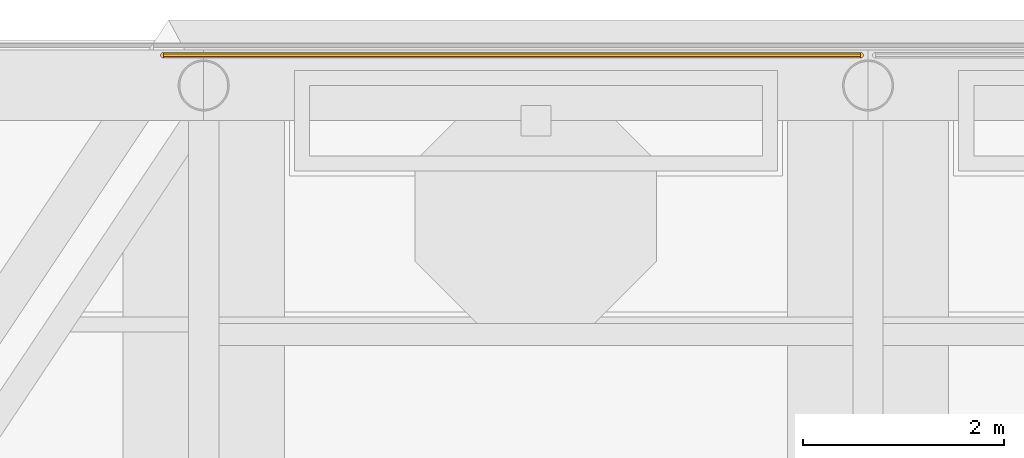
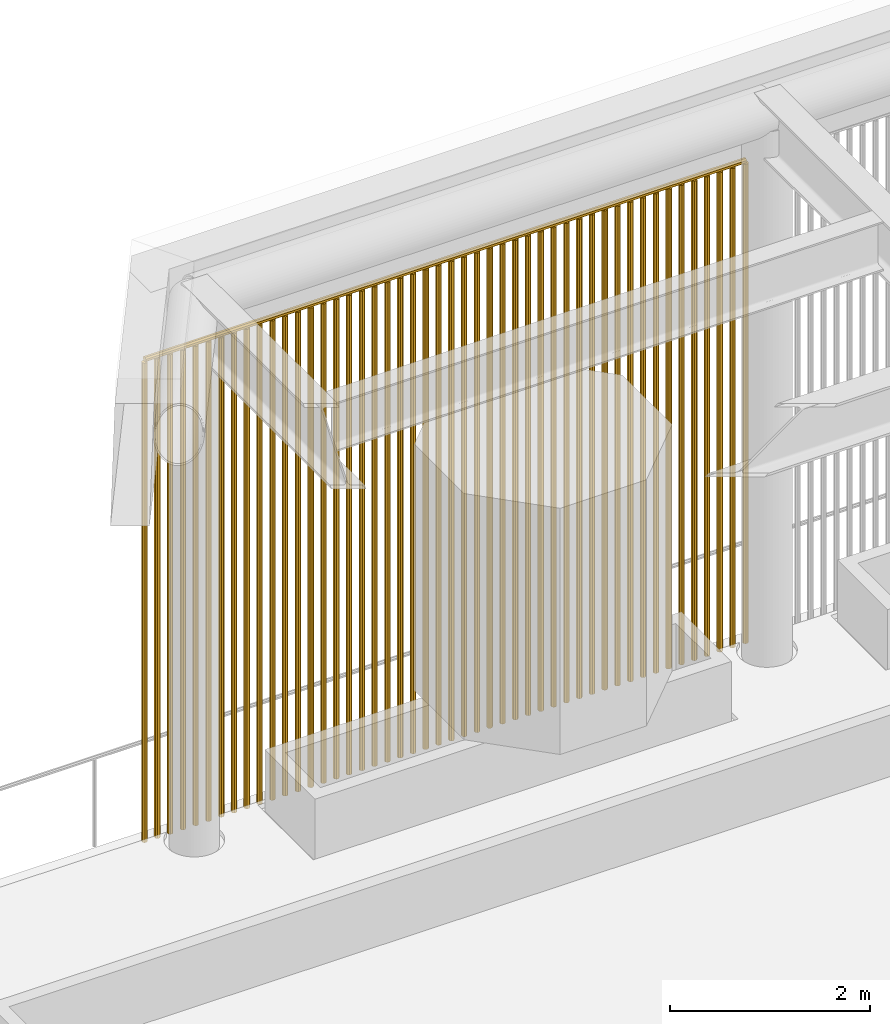
# One storey, part 18 of 22: 1 covering.
"""IFC4 building model written with IfcOpenShell, lengths in metres."""

from ifc_helpers import new_model, si_unit, direction, frame, origin, place, context, subcontext, project, spatial, polyline, outline, extrude, material, type_object, element, save


model = new_model("IFC4")

# Units and contexts
model_context = context("Model", 3, precision=1e-05, world=origin(), true_north=direction((0.0, 1.0)))
body_context = subcontext(model_context, "Body", "Model", "MODEL_VIEW")
ifc_project = project(units=[si_unit("LENGTHUNIT", "METRE"), si_unit("AREAUNIT", "SQUARE_METRE"), si_unit("VOLUMEUNIT", "CUBIC_METRE"), si_unit("PLANEANGLEUNIT", "RADIAN"), si_unit("MASSUNIT", "GRAM", prefix="KILO")], contexts=[model_context])

# Site, building, storey
site_placement = place(None, origin())
site = spatial("IfcSite", under=ifc_project, at=site_placement, CompositionType="ELEMENT")
building_placement = place(site_placement, origin())
building = spatial("IfcBuilding", under=site, at=building_placement, Name="Cobogo Forest Laboratory Tower", CompositionType="ELEMENT")
storey_placement = place(building_placement, frame((0.0, 0.0, 292.800048828125)))
storey = spatial("IfcBuildingStorey", under=building, at=storey_placement, Name="RF", CompositionType="ELEMENT", Elevation=292.800048828125)

# Covering
ifc_material = material(Name="Terracotta baguettes on a galvanised steel top rail", Category="masonry")
covering_type = type_object("IfcCoveringType", Name="CS1 crown terracotta baguette screen", PredefinedType="CLADDING", material=ifc_material)
covering_placement = place(storey_placement, frame((12.800048828125, 43.199951171875, -0.0009765625)))
element("IfcCovering", 1, at=covering_placement, inside=storey, type_object=covering_type, Name="Crown screen N1", PredefinedType="CLADDING", context=body_context, shape_type="SweptSolid", body=[
    extrude(outline(polyline([(0.02880859375, 0.011962890625), (0.011962890625, 0.02880859375), (-0.011962890625, 0.02880859375), (-0.02880859375, 0.011962890625), (-0.02880859375, -0.011962890625), (-0.011962890625, -0.02880859375), (0.011962890625, -0.02880859375), (0.02880859375, -0.011962890625), (0.02880859375, 0.011962890625)])), frame((0.0, 0.0, 5.873046875), z_axis=(1.0, 0.0, 0.0), x_axis=(0.0, 1.0, 0.0)), (0.0, 0.0, 1.0), 6.925048828125),
    extrude(outline(polyline([(0.02880859375, 0.011962890625), (0.011962890625, 0.02880859375), (-0.011962890625, 0.02880859375), (-0.02880859375, 0.011962890625), (-0.02880859375, -0.011962890625), (-0.011962890625, -0.02880859375), (0.011962890625, -0.02880859375), (0.02880859375, -0.011962890625), (0.02880859375, 0.011962890625)])), origin(), (0.0, 0.0, 1.0), 5.841796875),
    extrude(outline(polyline([(0.02880859375, 0.011962890625), (0.011962890625, 0.02880859375), (-0.011962890625, 0.02880859375), (-0.02880859375, 0.011962890625), (-0.02880859375, -0.011962890625), (-0.011962890625, -0.02880859375), (0.011962890625, -0.02880859375), (0.02880859375, -0.011962890625), (0.02880859375, 0.011962890625)])), frame((0.1474609375, 0.0, 0.0)), (0.0, 0.0, 1.0), 5.841796875),
    extrude(outline(polyline([(0.02880859375, 0.011962890625), (0.011962890625, 0.02880859375), (-0.011962890625, 0.02880859375), (-0.02880859375, 0.011962890625), (-0.02880859375, -0.011962890625), (-0.011962890625, -0.02880859375), (0.011962890625, -0.02880859375), (0.02880859375, -0.011962890625), (0.02880859375, 0.011962890625)])), frame((0.294677734375, 0.0, 0.0)), (0.0, 0.0, 1.0), 5.841796875),
    extrude(outline(polyline([(0.02880859375, 0.011962890625), (0.011962890625, 0.02880859375), (-0.011962890625, 0.02880859375), (-0.02880859375, 0.011962890625), (-0.02880859375, -0.011962890625), (-0.011962890625, -0.02880859375), (0.011962890625, -0.02880859375), (0.02880859375, -0.011962890625), (0.02880859375, 0.011962890625)])), frame((0.442138671875, 0.0, 0.0)), (0.0, 0.0, 1.0), 5.841796875),
    extrude(outline(polyline([(0.02880859375, 0.011962890625), (0.011962890625, 0.02880859375), (-0.011962890625, 0.02880859375), (-0.02880859375, 0.011962890625), (-0.02880859375, -0.011962890625), (-0.011962890625, -0.02880859375), (0.011962890625, -0.02880859375), (0.02880859375, -0.011962890625), (0.02880859375, 0.011962890625)])), frame((0.58935546875, 0.0, 0.0)), (0.0, 0.0, 1.0), 5.841796875),
    extrude(outline(polyline([(0.02880859375, 0.011962890625), (0.011962890625, 0.02880859375), (-0.011962890625, 0.02880859375), (-0.02880859375, 0.011962890625), (-0.02880859375, -0.011962890625), (-0.011962890625, -0.02880859375), (0.011962890625, -0.02880859375), (0.02880859375, -0.011962890625), (0.02880859375, 0.011962890625)])), frame((0.73681640625, 0.0, 0.0)), (0.0, 0.0, 1.0), 5.841796875),
    extrude(outline(polyline([(0.02880859375, 0.011962890625), (0.011962890625, 0.02880859375), (-0.011962890625, 0.02880859375), (-0.02880859375, 0.011962890625), (-0.02880859375, -0.011962890625), (-0.011962890625, -0.02880859375), (0.011962890625, -0.02880859375), (0.02880859375, -0.011962890625), (0.02880859375, 0.011962890625)])), frame((0.884033203125, 0.0, 0.0)), (0.0, 0.0, 1.0), 5.841796875),
    extrude(outline(polyline([(0.02880859375, 0.011962890625), (0.011962890625, 0.02880859375), (-0.011962890625, 0.02880859375), (-0.02880859375, 0.011962890625), (-0.02880859375, -0.011962890625), (-0.011962890625, -0.02880859375), (0.011962890625, -0.02880859375), (0.02880859375, -0.011962890625), (0.02880859375, 0.011962890625)])), frame((1.031494140625, 0.0, 0.0)), (0.0, 0.0, 1.0), 5.841796875),
    extrude(outline(polyline([(0.02880859375, 0.011962890625), (0.011962890625, 0.02880859375), (-0.011962890625, 0.02880859375), (-0.02880859375, 0.011962890625), (-0.02880859375, -0.011962890625), (-0.011962890625, -0.02880859375), (0.011962890625, -0.02880859375), (0.02880859375, -0.011962890625), (0.02880859375, 0.011962890625)])), frame((1.1787109375, 0.0, 0.0)), (0.0, 0.0, 1.0), 5.841796875),
    extrude(outline(polyline([(0.02880859375, 0.011962890625), (0.011962890625, 0.02880859375), (-0.011962890625, 0.02880859375), (-0.02880859375, 0.011962890625), (-0.02880859375, -0.011962890625), (-0.011962890625, -0.02880859375), (0.011962890625, -0.02880859375), (0.02880859375, -0.011962890625), (0.02880859375, 0.011962890625)])), frame((1.326171875, 0.0, 0.0)), (0.0, 0.0, 1.0), 5.841796875),
    extrude(outline(polyline([(0.02880859375, 0.011962890625), (0.011962890625, 0.02880859375), (-0.011962890625, 0.02880859375), (-0.02880859375, 0.011962890625), (-0.02880859375, -0.011962890625), (-0.011962890625, -0.02880859375), (0.011962890625, -0.02880859375), (0.02880859375, -0.011962890625), (0.02880859375, 0.011962890625)])), frame((1.473388671875, 0.0, 0.0)), (0.0, 0.0, 1.0), 5.841796875),
    extrude(outline(polyline([(0.02880859375, 0.011962890625), (0.011962890625, 0.02880859375), (-0.011962890625, 0.02880859375), (-0.02880859375, 0.011962890625), (-0.02880859375, -0.011962890625), (-0.011962890625, -0.02880859375), (0.011962890625, -0.02880859375), (0.02880859375, -0.011962890625), (0.02880859375, 0.011962890625)])), frame((1.620849609375, 0.0, 0.0)), (0.0, 0.0, 1.0), 5.841796875),
    extrude(outline(polyline([(0.02880859375, 0.011962890625), (0.011962890625, 0.02880859375), (-0.011962890625, 0.02880859375), (-0.02880859375, 0.011962890625), (-0.02880859375, -0.011962890625), (-0.011962890625, -0.02880859375), (0.011962890625, -0.02880859375), (0.02880859375, -0.011962890625), (0.02880859375, 0.011962890625)])), frame((1.76806640625, 0.0, 0.0)), (0.0, 0.0, 1.0), 5.841796875),
    extrude(outline(polyline([(0.02880859375, 0.011962890625), (0.011962890625, 0.02880859375), (-0.011962890625, 0.02880859375), (-0.02880859375, 0.011962890625), (-0.02880859375, -0.011962890625), (-0.011962890625, -0.02880859375), (0.011962890625, -0.02880859375), (0.02880859375, -0.011962890625), (0.02880859375, 0.011962890625)])), frame((1.91552734375, 0.0, 0.0)), (0.0, 0.0, 1.0), 5.841796875),
    extrude(outline(polyline([(0.02880859375, 0.011962890625), (0.011962890625, 0.02880859375), (-0.011962890625, 0.02880859375), (-0.02880859375, 0.011962890625), (-0.02880859375, -0.011962890625), (-0.011962890625, -0.02880859375), (0.011962890625, -0.02880859375), (0.02880859375, -0.011962890625), (0.02880859375, 0.011962890625)])), frame((2.062744140625, 0.0, 0.0)), (0.0, 0.0, 1.0), 5.841796875),
    extrude(outline(polyline([(0.02880859375, 0.011962890625), (0.011962890625, 0.02880859375), (-0.011962890625, 0.02880859375), (-0.02880859375, 0.011962890625), (-0.02880859375, -0.011962890625), (-0.011962890625, -0.02880859375), (0.011962890625, -0.02880859375), (0.02880859375, -0.011962890625), (0.02880859375, 0.011962890625)])), frame((2.210205078125, 0.0, 0.0)), (0.0, 0.0, 1.0), 5.841796875),
    extrude(outline(polyline([(0.02880859375, 0.011962890625), (0.011962890625, 0.02880859375), (-0.011962890625, 0.02880859375), (-0.02880859375, 0.011962890625), (-0.02880859375, -0.011962890625), (-0.011962890625, -0.02880859375), (0.011962890625, -0.02880859375), (0.02880859375, -0.011962890625), (0.02880859375, 0.011962890625)])), frame((2.357421875, 0.0, 0.0)), (0.0, 0.0, 1.0), 5.841796875),
    extrude(outline(polyline([(0.02880859375, 0.011962890625), (0.011962890625, 0.02880859375), (-0.011962890625, 0.02880859375), (-0.02880859375, 0.011962890625), (-0.02880859375, -0.011962890625), (-0.011962890625, -0.02880859375), (0.011962890625, -0.02880859375), (0.02880859375, -0.011962890625), (0.02880859375, 0.011962890625)])), frame((2.5048828125, 0.0, 0.0)), (0.0, 0.0, 1.0), 5.841796875),
    extrude(outline(polyline([(0.02880859375, 0.011962890625), (0.011962890625, 0.02880859375), (-0.011962890625, 0.02880859375), (-0.02880859375, 0.011962890625), (-0.02880859375, -0.011962890625), (-0.011962890625, -0.02880859375), (0.011962890625, -0.02880859375), (0.02880859375, -0.011962890625), (0.02880859375, 0.011962890625)])), frame((2.652099609375, 0.0, 0.0)), (0.0, 0.0, 1.0), 5.841796875),
    extrude(outline(polyline([(0.02880859375, 0.011962890625), (0.011962890625, 0.02880859375), (-0.011962890625, 0.02880859375), (-0.02880859375, 0.011962890625), (-0.02880859375, -0.011962890625), (-0.011962890625, -0.02880859375), (0.011962890625, -0.02880859375), (0.02880859375, -0.011962890625), (0.02880859375, 0.011962890625)])), frame((2.799560546875, 0.0, 0.0)), (0.0, 0.0, 1.0), 5.841796875),
    extrude(outline(polyline([(0.02880859375, 0.011962890625), (0.011962890625, 0.02880859375), (-0.011962890625, 0.02880859375), (-0.02880859375, 0.011962890625), (-0.02880859375, -0.011962890625), (-0.011962890625, -0.02880859375), (0.011962890625, -0.02880859375), (0.02880859375, -0.011962890625), (0.02880859375, 0.011962890625)])), frame((2.94677734375, 0.0, 0.0)), (0.0, 0.0, 1.0), 5.841796875),
    extrude(outline(polyline([(0.02880859375, 0.011962890625), (0.011962890625, 0.02880859375), (-0.011962890625, 0.02880859375), (-0.02880859375, 0.011962890625), (-0.02880859375, -0.011962890625), (-0.011962890625, -0.02880859375), (0.011962890625, -0.02880859375), (0.02880859375, -0.011962890625), (0.02880859375, 0.011962890625)])), frame((3.09423828125, 0.0, 0.0)), (0.0, 0.0, 1.0), 5.841796875),
    extrude(outline(polyline([(0.02880859375, 0.011962890625), (0.011962890625, 0.02880859375), (-0.011962890625, 0.02880859375), (-0.02880859375, 0.011962890625), (-0.02880859375, -0.011962890625), (-0.011962890625, -0.02880859375), (0.011962890625, -0.02880859375), (0.02880859375, -0.011962890625), (0.02880859375, 0.011962890625)])), frame((3.241455078125, 0.0, 0.0)), (0.0, 0.0, 1.0), 5.841796875),
    extrude(outline(polyline([(0.02880859375, 0.011962890625), (0.011962890625, 0.02880859375), (-0.011962890625, 0.02880859375), (-0.02880859375, 0.011962890625), (-0.02880859375, -0.011962890625), (-0.011962890625, -0.02880859375), (0.011962890625, -0.02880859375), (0.02880859375, -0.011962890625), (0.02880859375, 0.011962890625)])), frame((3.388916015625, 0.0, 0.0)), (0.0, 0.0, 1.0), 5.841796875),
    extrude(outline(polyline([(0.02880859375, 0.011962890625), (0.011962890625, 0.02880859375), (-0.011962890625, 0.02880859375), (-0.02880859375, 0.011962890625), (-0.02880859375, -0.011962890625), (-0.011962890625, -0.02880859375), (0.011962890625, -0.02880859375), (0.02880859375, -0.011962890625), (0.02880859375, 0.011962890625)])), frame((3.5361328125, 0.0, 0.0)), (0.0, 0.0, 1.0), 5.841796875),
    extrude(outline(polyline([(0.02880859375, 0.011962890625), (0.011962890625, 0.02880859375), (-0.011962890625, 0.02880859375), (-0.02880859375, 0.011962890625), (-0.02880859375, -0.011962890625), (-0.011962890625, -0.02880859375), (0.011962890625, -0.02880859375), (0.02880859375, -0.011962890625), (0.02880859375, 0.011962890625)])), frame((3.68359375, 0.0, 0.0)), (0.0, 0.0, 1.0), 5.841796875),
    extrude(outline(polyline([(0.02880859375, 0.011962890625), (0.011962890625, 0.02880859375), (-0.011962890625, 0.02880859375), (-0.02880859375, 0.011962890625), (-0.02880859375, -0.011962890625), (-0.011962890625, -0.02880859375), (0.011962890625, -0.02880859375), (0.02880859375, -0.011962890625), (0.02880859375, 0.011962890625)])), frame((3.830810546875, 0.0, 0.0)), (0.0, 0.0, 1.0), 5.841796875),
    extrude(outline(polyline([(0.02880859375, 0.011962890625), (0.011962890625, 0.02880859375), (-0.011962890625, 0.02880859375), (-0.02880859375, 0.011962890625), (-0.02880859375, -0.011962890625), (-0.011962890625, -0.02880859375), (0.011962890625, -0.02880859375), (0.02880859375, -0.011962890625), (0.02880859375, 0.011962890625)])), frame((3.978271484375, 0.0, 0.0)), (0.0, 0.0, 1.0), 5.841796875),
    extrude(outline(polyline([(0.02880859375, 0.011962890625), (0.011962890625, 0.02880859375), (-0.011962890625, 0.02880859375), (-0.02880859375, 0.011962890625), (-0.02880859375, -0.011962890625), (-0.011962890625, -0.02880859375), (0.011962890625, -0.02880859375), (0.02880859375, -0.011962890625), (0.02880859375, 0.011962890625)])), frame((4.12548828125, 0.0, 0.0)), (0.0, 0.0, 1.0), 5.841796875),
    extrude(outline(polyline([(0.02880859375, 0.011962890625), (0.011962890625, 0.02880859375), (-0.011962890625, 0.02880859375), (-0.02880859375, 0.011962890625), (-0.02880859375, -0.011962890625), (-0.011962890625, -0.02880859375), (0.011962890625, -0.02880859375), (0.02880859375, -0.011962890625), (0.02880859375, 0.011962890625)])), frame((4.27294921875, 0.0, 0.0)), (0.0, 0.0, 1.0), 5.841796875),
    extrude(outline(polyline([(0.02880859375, 0.011962890625), (0.011962890625, 0.02880859375), (-0.011962890625, 0.02880859375), (-0.02880859375, 0.011962890625), (-0.02880859375, -0.011962890625), (-0.011962890625, -0.02880859375), (0.011962890625, -0.02880859375), (0.02880859375, -0.011962890625), (0.02880859375, 0.011962890625)])), frame((4.420166015625, 0.0, 0.0)), (0.0, 0.0, 1.0), 5.841796875),
    extrude(outline(polyline([(0.02880859375, 0.011962890625), (0.011962890625, 0.02880859375), (-0.011962890625, 0.02880859375), (-0.02880859375, 0.011962890625), (-0.02880859375, -0.011962890625), (-0.011962890625, -0.02880859375), (0.011962890625, -0.02880859375), (0.02880859375, -0.011962890625), (0.02880859375, 0.011962890625)])), frame((4.567626953125, 0.0, 0.0)), (0.0, 0.0, 1.0), 5.841796875),
    extrude(outline(polyline([(0.02880859375, 0.011962890625), (0.011962890625, 0.02880859375), (-0.011962890625, 0.02880859375), (-0.02880859375, 0.011962890625), (-0.02880859375, -0.011962890625), (-0.011962890625, -0.02880859375), (0.011962890625, -0.02880859375), (0.02880859375, -0.011962890625), (0.02880859375, 0.011962890625)])), frame((4.71484375, 0.0, 0.0)), (0.0, 0.0, 1.0), 5.841796875),
    extrude(outline(polyline([(0.02880859375, 0.011962890625), (0.011962890625, 0.02880859375), (-0.011962890625, 0.02880859375), (-0.02880859375, 0.011962890625), (-0.02880859375, -0.011962890625), (-0.011962890625, -0.02880859375), (0.011962890625, -0.02880859375), (0.02880859375, -0.011962890625), (0.02880859375, 0.011962890625)])), frame((4.8623046875, 0.0, 0.0)), (0.0, 0.0, 1.0), 5.841796875),
    extrude(outline(polyline([(0.02880859375, 0.011962890625), (0.011962890625, 0.02880859375), (-0.011962890625, 0.02880859375), (-0.02880859375, 0.011962890625), (-0.02880859375, -0.011962890625), (-0.011962890625, -0.02880859375), (0.011962890625, -0.02880859375), (0.02880859375, -0.011962890625), (0.02880859375, 0.011962890625)])), frame((5.009521484375, 0.0, 0.0)), (0.0, 0.0, 1.0), 5.841796875),
    extrude(outline(polyline([(0.02880859375, 0.011962890625), (0.011962890625, 0.02880859375), (-0.011962890625, 0.02880859375), (-0.02880859375, 0.011962890625), (-0.02880859375, -0.011962890625), (-0.011962890625, -0.02880859375), (0.011962890625, -0.02880859375), (0.02880859375, -0.011962890625), (0.02880859375, 0.011962890625)])), frame((5.156982421875, 0.0, 0.0)), (0.0, 0.0, 1.0), 5.841796875),
    extrude(outline(polyline([(0.02880859375, 0.011962890625), (0.011962890625, 0.02880859375), (-0.011962890625, 0.02880859375), (-0.02880859375, 0.011962890625), (-0.02880859375, -0.011962890625), (-0.011962890625, -0.02880859375), (0.011962890625, -0.02880859375), (0.02880859375, -0.011962890625), (0.02880859375, 0.011962890625)])), frame((5.30419921875, 0.0, 0.0)), (0.0, 0.0, 1.0), 5.841796875),
    extrude(outline(polyline([(0.02880859375, 0.011962890625), (0.011962890625, 0.02880859375), (-0.011962890625, 0.02880859375), (-0.02880859375, 0.011962890625), (-0.02880859375, -0.011962890625), (-0.011962890625, -0.02880859375), (0.011962890625, -0.02880859375), (0.02880859375, -0.011962890625), (0.02880859375, 0.011962890625)])), frame((5.45166015625, 0.0, 0.0)), (0.0, 0.0, 1.0), 5.841796875),
    extrude(outline(polyline([(0.02880859375, 0.011962890625), (0.011962890625, 0.02880859375), (-0.011962890625, 0.02880859375), (-0.02880859375, 0.011962890625), (-0.02880859375, -0.011962890625), (-0.011962890625, -0.02880859375), (0.011962890625, -0.02880859375), (0.02880859375, -0.011962890625), (0.02880859375, 0.011962890625)])), frame((5.598876953125, 0.0, 0.0)), (0.0, 0.0, 1.0), 5.841796875),
    extrude(outline(polyline([(0.02880859375, 0.011962890625), (0.011962890625, 0.02880859375), (-0.011962890625, 0.02880859375), (-0.02880859375, 0.011962890625), (-0.02880859375, -0.011962890625), (-0.011962890625, -0.02880859375), (0.011962890625, -0.02880859375), (0.02880859375, -0.011962890625), (0.02880859375, 0.011962890625)])), frame((5.746337890625, 0.0, 0.0)), (0.0, 0.0, 1.0), 5.841796875),
    extrude(outline(polyline([(0.02880859375, 0.011962890625), (0.011962890625, 0.02880859375), (-0.011962890625, 0.02880859375), (-0.02880859375, 0.011962890625), (-0.02880859375, -0.011962890625), (-0.011962890625, -0.02880859375), (0.011962890625, -0.02880859375), (0.02880859375, -0.011962890625), (0.02880859375, 0.011962890625)])), frame((5.8935546875, 0.0, 0.0)), (0.0, 0.0, 1.0), 5.841796875),
    extrude(outline(polyline([(0.02880859375, 0.011962890625), (0.011962890625, 0.02880859375), (-0.011962890625, 0.02880859375), (-0.02880859375, 0.011962890625), (-0.02880859375, -0.011962890625), (-0.011962890625, -0.02880859375), (0.011962890625, -0.02880859375), (0.02880859375, -0.011962890625), (0.02880859375, 0.011962890625)])), frame((6.041015625, 0.0, 0.0)), (0.0, 0.0, 1.0), 5.841796875),
    extrude(outline(polyline([(0.02880859375, 0.011962890625), (0.011962890625, 0.02880859375), (-0.011962890625, 0.02880859375), (-0.02880859375, 0.011962890625), (-0.02880859375, -0.011962890625), (-0.011962890625, -0.02880859375), (0.011962890625, -0.02880859375), (0.02880859375, -0.011962890625), (0.02880859375, 0.011962890625)])), frame((6.188232421875, 0.0, 0.0)), (0.0, 0.0, 1.0), 5.841796875),
    extrude(outline(polyline([(0.02880859375, 0.011962890625), (0.011962890625, 0.02880859375), (-0.011962890625, 0.02880859375), (-0.02880859375, 0.011962890625), (-0.02880859375, -0.011962890625), (-0.011962890625, -0.02880859375), (0.011962890625, -0.02880859375), (0.02880859375, -0.011962890625), (0.02880859375, 0.011962890625)])), frame((6.335693359375, 0.0, 0.0)), (0.0, 0.0, 1.0), 5.841796875),
    extrude(outline(polyline([(0.02880859375, 0.011962890625), (0.011962890625, 0.02880859375), (-0.011962890625, 0.02880859375), (-0.02880859375, 0.011962890625), (-0.02880859375, -0.011962890625), (-0.011962890625, -0.02880859375), (0.011962890625, -0.02880859375), (0.02880859375, -0.011962890625), (0.02880859375, 0.011962890625)])), frame((6.48291015625, 0.0, 0.0)), (0.0, 0.0, 1.0), 5.841796875),
    extrude(outline(polyline([(0.02880859375, 0.011962890625), (0.011962890625, 0.02880859375), (-0.011962890625, 0.02880859375), (-0.02880859375, 0.011962890625), (-0.02880859375, -0.011962890625), (-0.011962890625, -0.02880859375), (0.011962890625, -0.02880859375), (0.02880859375, -0.011962890625), (0.02880859375, 0.011962890625)])), frame((6.63037109375, 0.0, 0.0)), (0.0, 0.0, 1.0), 5.841796875),
    extrude(outline(polyline([(0.02880859375, 0.011962890625), (0.011962890625, 0.02880859375), (-0.011962890625, 0.02880859375), (-0.02880859375, 0.011962890625), (-0.02880859375, -0.011962890625), (-0.011962890625, -0.02880859375), (0.011962890625, -0.02880859375), (0.02880859375, -0.011962890625), (0.02880859375, 0.011962890625)])), frame((6.777587890625, 0.0, 0.0)), (0.0, 0.0, 1.0), 5.841796875),
    extrude(outline(polyline([(0.02880859375, 0.011962890625), (0.011962890625, 0.02880859375), (-0.011962890625, 0.02880859375), (-0.02880859375, 0.011962890625), (-0.02880859375, -0.011962890625), (-0.011962890625, -0.02880859375), (0.011962890625, -0.02880859375), (0.02880859375, -0.011962890625), (0.02880859375, 0.011962890625)])), frame((6.925048828125, 0.0, 0.0)), (0.0, 0.0, 1.0), 5.841796875),
])

save(model, "model.ifc")
